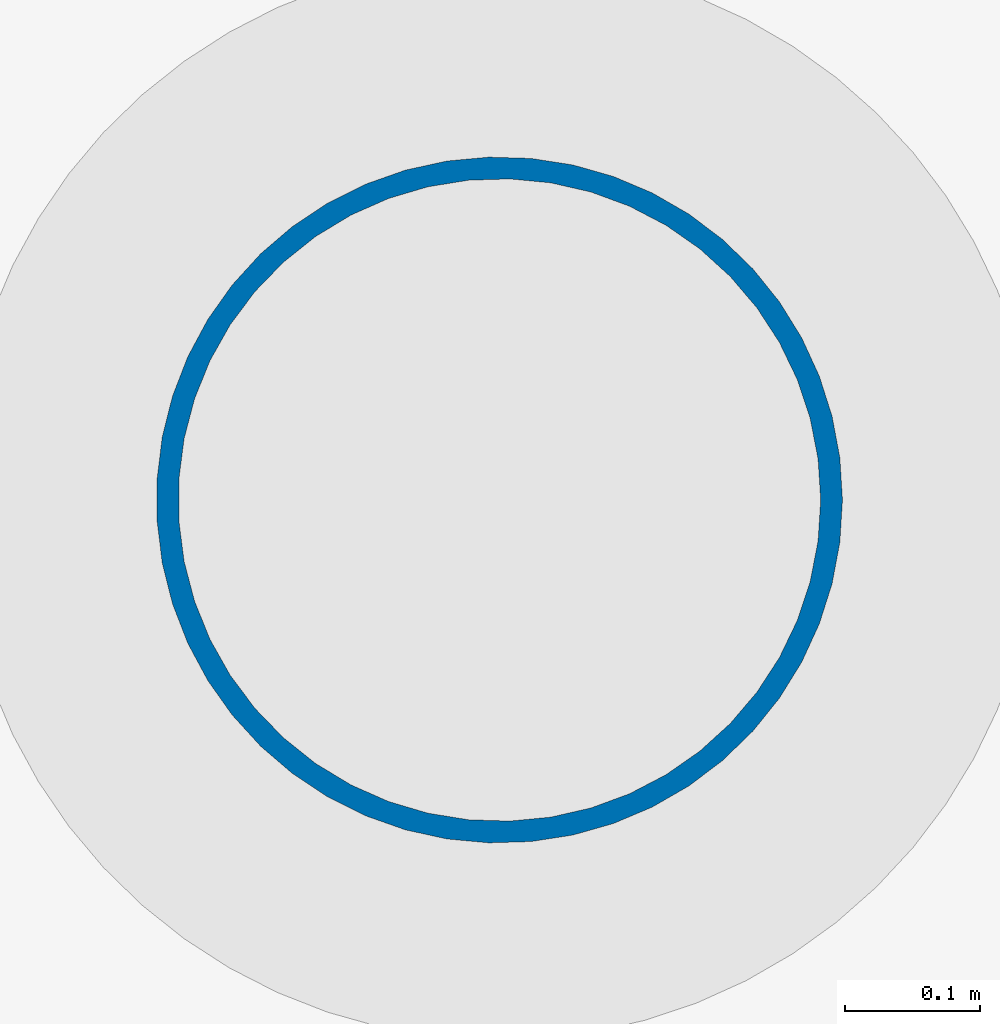
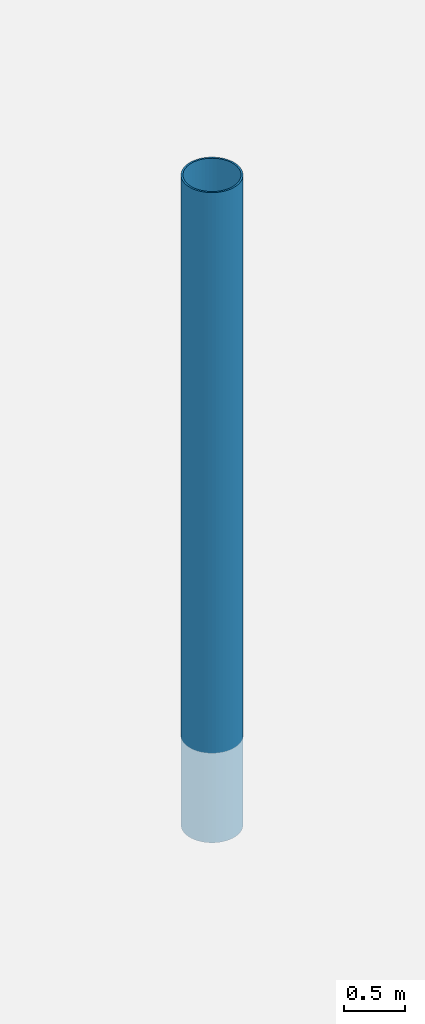
# One storey, part 13 of 98: 1 column.
"""IFC4 building model written with IfcOpenShell, lengths in metres."""

from ifc_helpers import new_model, si_unit, derived_unit, direction, frame, origin, origin_2d, place, context, subcontext, project, spatial, hollow_circle, extrude, material, material_profile, profile_set, type_object, element, save


model = new_model("IFC4")

# Units and contexts
model_context = context("Model", 3, precision=1e-05, world=origin(), true_north=direction((0.0, 1.0)))
body_context = subcontext(model_context, "Body", "Model", "MODEL_VIEW")
ifc_project = project(units=[si_unit("LENGTHUNIT", "METRE"), si_unit("AREAUNIT", "SQUARE_METRE"), si_unit("VOLUMEUNIT", "CUBIC_METRE"), si_unit("PLANEANGLEUNIT", "RADIAN"), si_unit("MASSUNIT", "GRAM", prefix="KILO"), si_unit("THERMODYNAMICTEMPERATUREUNIT", "KELVIN"), derived_unit("THERMALTRANSMITTANCEUNIT", [(si_unit("POWERUNIT", "WATT"), 1), (si_unit("AREAUNIT", "SQUARE_METRE"), -1), (si_unit("THERMODYNAMICTEMPERATUREUNIT", "KELVIN"), -1)])], contexts=[model_context])

# Site, building, storey
site_placement = place(None, origin())
site = spatial("IfcSite", under=ifc_project, at=site_placement, CompositionType="ELEMENT")
building_placement = place(site_placement, origin())
building = spatial("IfcBuilding", under=site, at=building_placement, Name="Haiyu Intermodal Mobility Hub", CompositionType="ELEMENT")
storey_placement = place(building_placement, origin())
storey = spatial("IfcBuildingStorey", under=building, at=storey_placement, Name="L00", CompositionType="ELEMENT", Elevation=0.0)

# Column
ifc_material = material(Name="Steel Q355C", Category="steel")
ifc_material_profile = material_profile(ifc_material, hollow_circle(Radius=0.25390625, WallThickness=0.01611328125, at=origin_2d()), Name="CHS508x16")
ifc_profile_set = profile_set([ifc_material_profile], Name="Steel Q355C")
column_type = type_object("IfcColumnType", Name="COL-SC02-EXT", PredefinedType="COLUMN", material=ifc_profile_set)
column_placement = place(storey_placement, frame((76.179931640625, 47.383056640625, -0.89990234375), z_axis=(0.0, 0.0, 1.0), x_axis=(1.0, 0.0, 0.0)))
element("IfcColumn", 1, at=column_placement, inside=storey, type_object=column_type, Name="Column RCOL-16 L00", PredefinedType="COLUMN", context=body_context, shape_type="SweptSolid", body=[
    extrude(hollow_circle(Radius=0.25390625, WallThickness=0.01611328125, at=origin_2d()), origin(), (0.0, 0.0, 1.0), 6.5),
])

save(model, "model.ifc")
